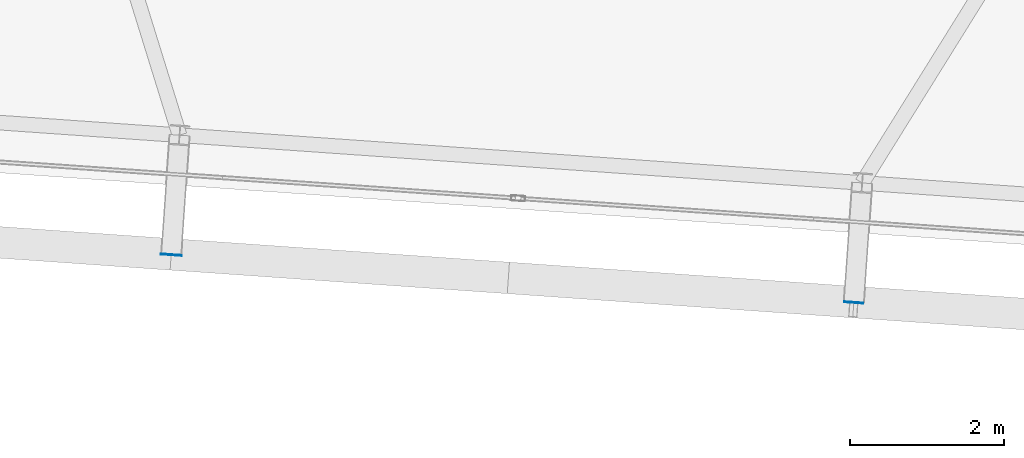
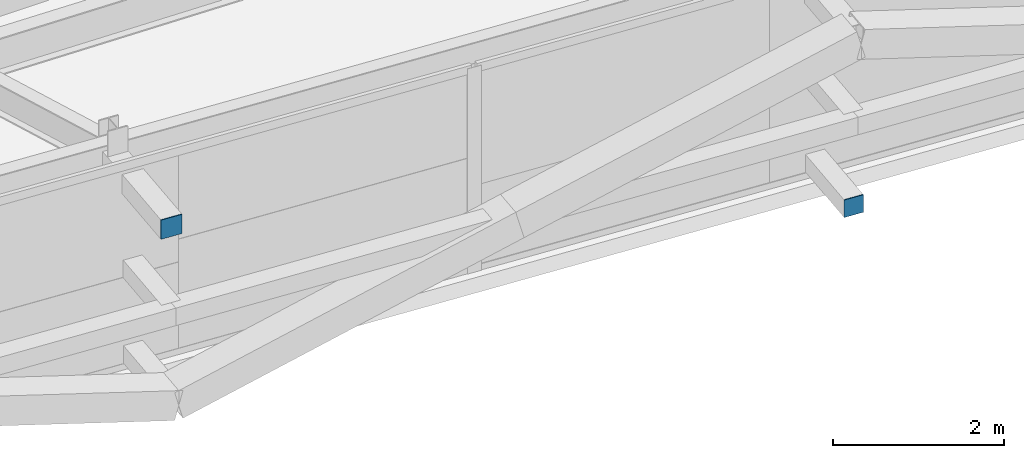
# One storey, part 28 of 39: 2 plates.
"""IFC4 building model written with IfcOpenShell, lengths in metres."""

from ifc_helpers import new_model, si_unit, direction, frame, origin, origin_2d, place, context, subcontext, project, spatial, rectangle, extrude, source, transform, mapped, material, layer, layer_set, type_object, element, save


model = new_model("IFC4")

# Units and contexts
model_context = context("Model", 3, precision=1e-05, world=origin(), true_north=direction((0.0, 1.0)))
body_context = subcontext(model_context, "Body", "Model", "MODEL_VIEW")
ifc_project = project(units=[si_unit("LENGTHUNIT", "METRE"), si_unit("AREAUNIT", "SQUARE_METRE"), si_unit("VOLUMEUNIT", "CUBIC_METRE"), si_unit("PLANEANGLEUNIT", "RADIAN"), si_unit("MASSUNIT", "GRAM", prefix="KILO")], contexts=[model_context])

# Site, building, storey
site_placement = place(None, origin())
site = spatial("IfcSite", under=ifc_project, at=site_placement, CompositionType="ELEMENT")
building_placement = place(site_placement, origin())
building = spatial("IfcBuilding", under=site, at=building_placement, Name="Taldren Reach Tower", CompositionType="ELEMENT")
storey_placement = place(building_placement, frame((0.0, 0.0, 126.699951171875)))
storey = spatial("IfcBuildingStorey", under=building, at=storey_placement, Name="L38", CompositionType="ELEMENT", Elevation=126.699951171875)

# Plates
ifc_material_1 = material(Name="Steel Gr 450 (C450L0)", Category="steel")
ifc_layer_1 = layer(ifc_material_1, 0.011962890625)
ifc_layer_set_1 = layer_set([ifc_layer_1], Name="Steel Gr 450 (C450L0)")
plate_type_1 = type_object("IfcPlateType", Name="PL-CAP-275", PredefinedType="SHEET", material=ifc_layer_set_1)
shared_shape_1 = source(origin(), body_context, "Body", "SweptSolid", [
    extrude(rectangle(XDim=0.27490234375, YDim=0.011962890625, at=origin_2d()), origin(), (0.0, 0.0, 1.0), 0.27490234375),
])
plate_1_placement = place(storey_placement, frame((29.4716796875, 2.54736328125, 2.5126953125), z_axis=(0.0, 0.0, 1.0), x_axis=(0.99756405026, -0.069756473744, 0.0)))
element("IfcPlate", 1, at=plate_1_placement, inside=storey, type_object=plate_type_1, Name="Tie strut end cap plate B3-S3 L38", PredefinedType="SHEET", context=body_context, shape_type="MappedRepresentation", body=[
    mapped(shared_shape_1, transform((0.0, 0.0, 0.0), scale=1.0)),
])
ifc_material_2 = material(Name="Steel Gr 350 (C350L0)", Category="steel")
ifc_layer_2 = layer(ifc_material_2, 0.011962890625)
ifc_layer_set_2 = layer_set([ifc_layer_2], Name="Steel Gr 350 (C350L0)")
plate_type_2 = type_object("IfcPlateType", Name="PL-CAP-250", PredefinedType="SHEET", material=ifc_layer_set_2)
shared_shape_2 = source(origin(), body_context, "Body", "SweptSolid", [
    extrude(rectangle(XDim=0.25, YDim=0.011962890625, at=origin_2d()), origin(), (0.0, 0.0, 1.0), 0.25),
])
plate_2_placement = place(storey_placement, frame((38.330078125, 1.927978515625, 0.094970703125), z_axis=(0.0, 0.0, 1.0), x_axis=(0.99756405026, -0.069756473744, 0.0)))
element("IfcPlate", 2, at=plate_2_placement, inside=storey, type_object=plate_type_2, Name="Tie strut end cap plate B3-S4 L38", PredefinedType="SHEET", context=body_context, shape_type="MappedRepresentation", body=[
    mapped(shared_shape_2, transform((0.0, 0.0, 0.0), scale=1.0)),
])

save(model, "model.ifc")
